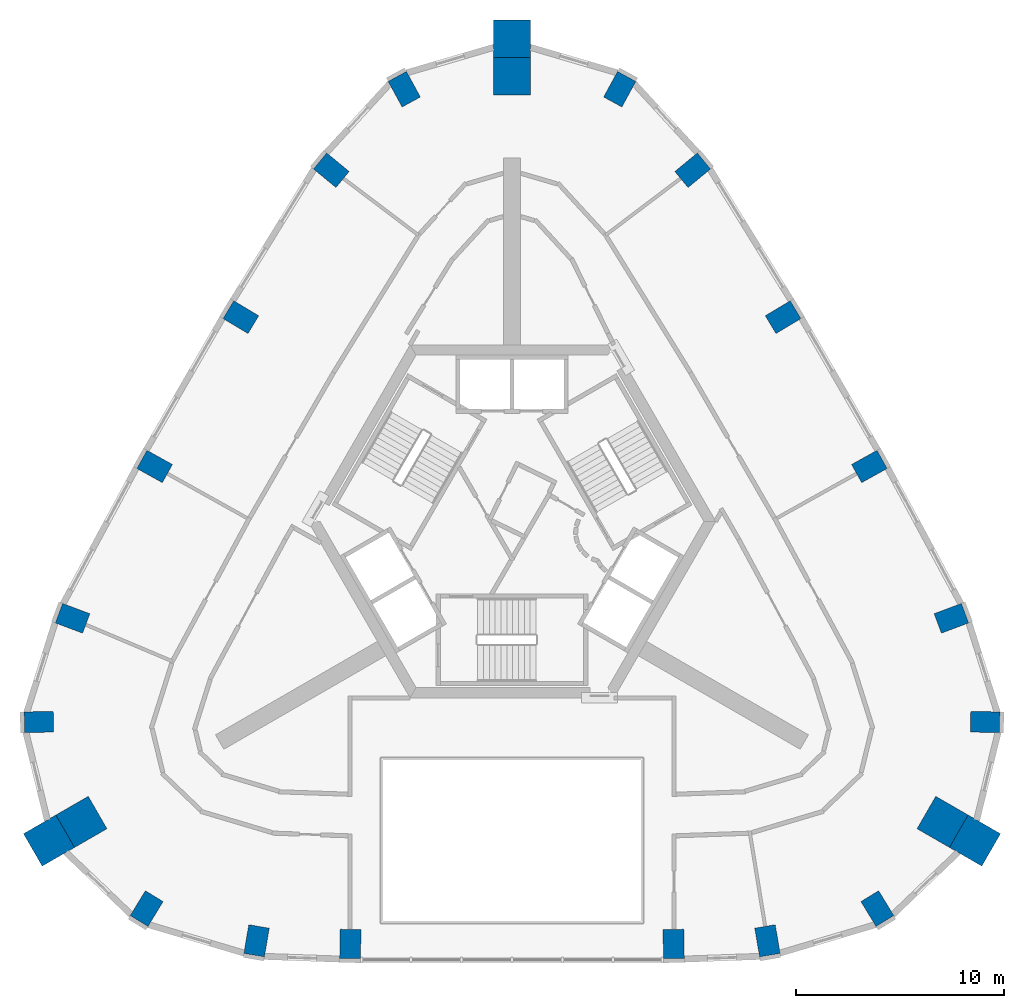
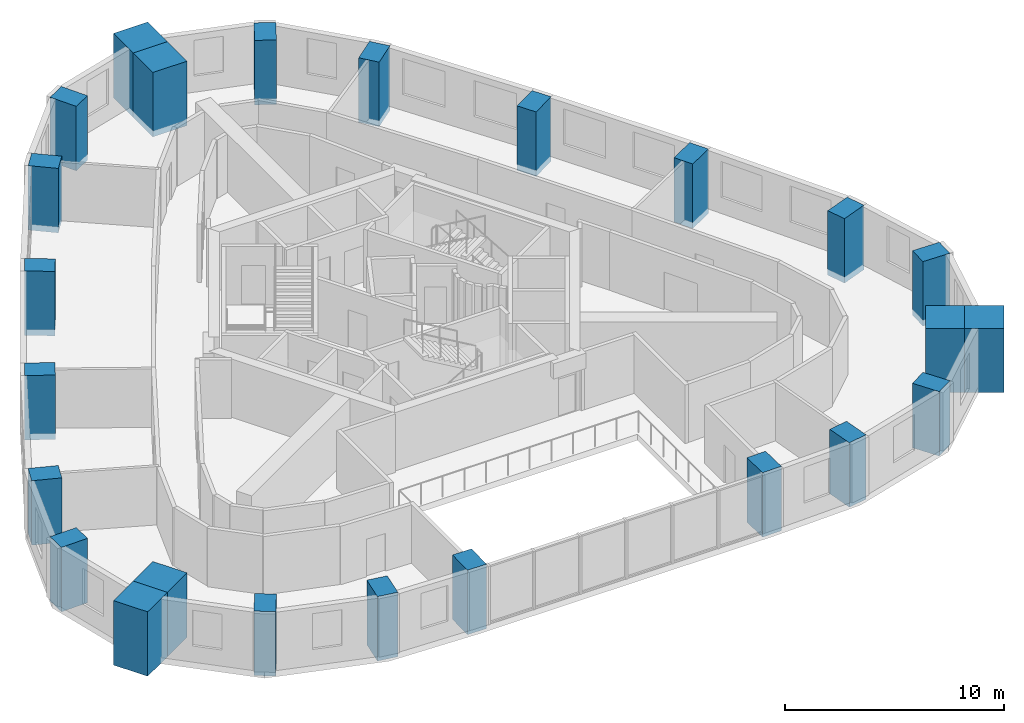
# One storey, part 1 of 8: 24 columns.
"""IFC4 building model written with IfcOpenShell, lengths in metres."""

import ifcopenshell
import ifcopenshell.guid

model = None  # the IFC model being written
_history = None  # IfcOwnerHistory: only IFC2X3 demands one
_inside = {}  # id of a spatial element -> (the spatial element, [elements in it])
_under = {}  # id of a project, library or spatial element -> (it, [spatial elements below it])
_declared = {}  # id of a project -> (the project, [libraries it declares])
_typed = {}  # id of a type object -> (the type object, [elements of that type])
_made_of = {}  # id of a material, layer set ... -> (it, [elements and type objects made of it])


def new_model(schema):
    """Start an empty IFC model of exactly this schema.

    Asked for "IFC4X3", IfcOpenShell would pick the latest addendum, in which some entities
    have other attributes; the version numbers below select the first issue.
    IFC2X3 requires an IfcOwnerHistory on every rooted entity: one is made here for all.
    """
    global model, _history
    if schema == "IFC4X3":
        model = ifcopenshell.file(schema_version=(4, 3, 0, 0))
    else:
        model = ifcopenshell.file(schema=schema)
    _inside.clear()
    _under.clear()
    _declared.clear()
    _typed.clear()
    _made_of.clear()
    _history = None
    if model.schema == "IFC2X3":
        org = make("IfcOrganization", Name="unknown")
        user = make(
            "IfcPersonAndOrganization",
            ThePerson=make("IfcPerson", FamilyName="unknown"),
            TheOrganization=org,
        )
        app = make(
            "IfcApplication",
            ApplicationDeveloper=org,
            Version="unknown",
            ApplicationFullName="unknown",
            ApplicationIdentifier="unknown",
        )
        _history = make(
            "IfcOwnerHistory",
            OwningUser=user,
            OwningApplication=app,
            ChangeAction="ADDED",
            CreationDate=0,
        )
    return model


def make(cls, **values):
    """One entity of the class cls with the attributes given. An attribute that is None is left unset."""
    return model.create_entity(
        cls, **{name: value for name, value in values.items() if value is not None}
    )


def rooted(cls, **values):
    """An entity with a GlobalId (a new one), such as an element, a storey or a relation."""
    return make(cls, GlobalId=ifcopenshell.guid.new(), OwnerHistory=_history, **values)


def si_unit(unit_type, name, prefix=None):
    """IfcSIUnit, for example si_unit("LENGTHUNIT", "METRE", prefix="MILLI")."""
    return make("IfcSIUnit", UnitType=unit_type, Prefix=prefix, Name=name)


def assignment(units):
    """IfcUnitAssignment: the units of a project."""
    return None if units is None else make("IfcUnitAssignment", Units=units)


def point(xyz):
    """IfcCartesianPoint."""
    return None if xyz is None else make("IfcCartesianPoint", Coordinates=xyz)


def direction(xyz):
    """IfcDirection."""
    return None if xyz is None else make("IfcDirection", DirectionRatios=xyz)


def frame(location, z_axis=None, x_axis=None):
    """IfcAxis2Placement3D, a coordinate frame: its origin and axes. An axis left out is left unset."""
    return make(
        "IfcAxis2Placement3D",
        Location=point(location),
        Axis=direction(z_axis),
        RefDirection=direction(x_axis),
    )


def frame_2d(location, x_axis=None):
    """IfcAxis2Placement2D, a coordinate frame in the plane: its origin and x axis."""
    return make(
        "IfcAxis2Placement2D", Location=point(location), RefDirection=direction(x_axis)
    )


def origin():
    """The frame at (0, 0, 0) with its axes left unset."""
    return frame((0.0, 0.0, 0.0))


def origin_2d():
    """The frame at (0, 0) in the plane with its x axis left unset."""
    return frame_2d((0.0, 0.0))


def place(relative_to, where):
    """IfcLocalPlacement: puts the frame where relative to a parent placement (None: the world)."""
    return make(
        "IfcLocalPlacement", PlacementRelTo=relative_to, RelativePlacement=where
    )


def context(
    kind, dimensions, precision=None, world=None, true_north=None, identifier=None
):
    """IfcGeometricRepresentationContext, for example the 3D "Model" context."""
    return make(
        "IfcGeometricRepresentationContext",
        ContextIdentifier=identifier,
        ContextType=kind,
        CoordinateSpaceDimension=dimensions,
        Precision=precision,
        WorldCoordinateSystem=world,
        TrueNorth=true_north,
    )


def subcontext(parent, identifier, kind, view, scale=None):
    """IfcGeometricRepresentationSubContext, for example "Body" below "Model"."""
    return make(
        "IfcGeometricRepresentationSubContext",
        ContextIdentifier=identifier,
        ContextType=kind,
        ParentContext=parent,
        TargetScale=scale,
        TargetView=view,
    )


def project(units=None, contexts=None):
    """IfcProject with its units and contexts."""
    return rooted(
        "IfcProject",
        Name="project",
        RepresentationContexts=contexts,
        UnitsInContext=assignment(units),
    )


def spatial(cls, under=None, at=None, **own):
    """A site, building, storey or space (cls), placed at a placement, below another one or the project."""
    s = rooted(cls, ObjectPlacement=at, **own)
    if under is not None:
        _under.setdefault(under.id(), (under, []))[1].append(s)
    return s


def profile(cls, at=None, kind="AREA", **sizes):
    """A parametric profile (cls). Its sizes go by their IFC names, for example OverallWidth=200.0."""
    return make(cls, ProfileType=kind, Position=at, **sizes)


def rectangle(**sizes):
    """IfcRectangleProfileDef."""
    return profile("IfcRectangleProfileDef", **sizes)


def extrude(swept, where, along, depth):
    """IfcExtrudedAreaSolid: the profile swept, set in the frame where, extruded along a direction by depth."""
    return make(
        "IfcExtrudedAreaSolid",
        SweptArea=swept,
        Position=where,
        ExtrudedDirection=direction(along),
        Depth=depth,
    )


def shape(context_of_items, identifier, shape_type, items):
    """IfcShapeRepresentation: the items that make up one representation, for example the "Body"."""
    return make(
        "IfcShapeRepresentation",
        ContextOfItems=context_of_items,
        RepresentationIdentifier=identifier,
        RepresentationType=shape_type,
        Items=items,
    )


def material(Name=None, Category=None):
    """IfcMaterial."""
    return make("IfcMaterial", Name=Name, Category=Category)


def material_profile(
    of_material, cross_section, Name=None, Category=None, Priority=None
):
    """IfcMaterialProfile: a cross section and its material."""
    return make(
        "IfcMaterialProfile",
        Name=Name,
        Material=of_material,
        Profile=cross_section,
        Priority=Priority,
        Category=Category,
    )


def profile_set(profiles, Name=None, composite=None):
    """IfcMaterialProfileSet."""
    return make(
        "IfcMaterialProfileSet",
        Name=Name,
        MaterialProfiles=profiles,
        CompositeProfile=composite,
    )


def made_of(thing, what):
    """Note that an element or type object is made of a material, layer set ...; save() writes the relation."""
    if what is not None:
        _made_of.setdefault(what.id(), (what, []))[1].append(thing)
    return thing


def type_object(cls, material=None, **own):
    """A type object (cls), such as IfcWallType, which elements share."""
    return made_of(rooted(cls, **own), material)


def element(
    cls,
    number,
    at=None,
    inside=None,
    cuts=None,
    type_object=None,
    material=None,
    context=None,
    identifier="Body",
    shape_type=None,
    held_by="IfcProductDefinitionShape",
    body=None,
    shapes=None,
    **own,
):
    """One element of the class cls, such as IfcWall. Its Tag is "e" and its number.

    at: its placement. inside: the storey or other place that contains it. cuts: it is an
    opening in that element (IfcRelVoidsElement). A single representation is given by context,
    identifier, shape_type and body (its items); several are given by shapes. held_by: the class
    of the entity that holds the representations. save() writes the other relations.
    """
    e = rooted(cls, Tag="e%d" % number, ObjectPlacement=at, **own)
    if body is not None:
        shapes = [shape(context, identifier, shape_type, body)]
    if shapes is not None:
        e.Representation = make(held_by, Representations=shapes)
    if inside is not None:
        _inside.setdefault(inside.id(), (inside, []))[1].append(e)
    if cuts is not None:
        rooted(
            "IfcRelVoidsElement", RelatingBuildingElement=cuts, RelatedOpeningElement=e
        )
    if type_object is not None:
        _typed.setdefault(type_object.id(), (type_object, []))[1].append(e)
    return made_of(e, material)


def aggregate(whole, parts):
    """IfcRelAggregates: a whole, such as a stair, and the parts it consists of."""
    return rooted("IfcRelAggregates", RelatingObject=whole, RelatedObjects=parts)


def save(model, path):
    """Write the relations noted so far, then the file.

    IfcRelAggregates (storeys below a building ...), IfcRelContainedInSpatialStructure (elements
    in a storey), IfcRelDefinesByType, IfcRelAssociatesMaterial and IfcRelDeclares: one each for
    every whole, place, type object, material and project.
    """
    for whole, parts in _under.values():
        aggregate(whole, parts)
    for where, things in _inside.values():
        rooted(
            "IfcRelContainedInSpatialStructure",
            RelatedElements=things,
            RelatingStructure=where,
        )
    for kind, things in _typed.values():
        rooted("IfcRelDefinesByType", RelatedObjects=things, RelatingType=kind)
    for what, things in _made_of.values():
        rooted("IfcRelAssociatesMaterial", RelatedObjects=things, RelatingMaterial=what)
    for by, libraries in _declared.values():
        rooted("IfcRelDeclares", RelatingContext=by, RelatedDefinitions=libraries)
    model.write(path)


model = new_model("IFC4")

# Units and contexts
model_context = context("Model", 3, precision=1e-05, world=origin(), true_north=direction((0.0, 1.0)))
body_context = subcontext(model_context, "Body", "Model", "MODEL_VIEW")
ifc_project = project(units=[si_unit("LENGTHUNIT", "METRE"), si_unit("AREAUNIT", "SQUARE_METRE"), si_unit("VOLUMEUNIT", "CUBIC_METRE"), si_unit("PLANEANGLEUNIT", "RADIAN"), si_unit("MASSUNIT", "GRAM", prefix="KILO")], contexts=[model_context])

# Site, building, storey
site_placement = place(None, origin())
site = spatial("IfcSite", under=ifc_project, at=site_placement, CompositionType="ELEMENT")
building_placement = place(site_placement, origin())
building = spatial("IfcBuilding", under=site, at=building_placement, Name="Entoto Arch Interchange Tower", CompositionType="ELEMENT")
storey_placement = place(building_placement, frame((0.0, 0.0, 311.60009765625)))
storey = spatial("IfcBuildingStorey", under=building, at=storey_placement, Name="L73", CompositionType="ELEMENT", Elevation=311.60009765625)

# Columns
ifc_material_1 = material(Name="Concrete C40/50", Category="concrete")
ifc_material_profile_1 = material_profile(ifc_material_1, rectangle(XDim=1.0, YDim=1.39990234375, at=origin_2d()))
ifc_profile_set_1 = profile_set([ifc_material_profile_1], Name="Concrete C40/50")
column_type_1 = type_object("IfcColumnType", Name="Column RC 1000x1400 C40/50", PredefinedType="COLUMN", material=ifc_profile_set_1)
for number, where, z_axis, x_axis, name in (
    (1, (-12.297119140625, -17.694091796875, -0.340087890625), (0.0, 0.0, 1.0), (-0.985785690827, 0.168007653877, 0.0), "Column S01 L73"),
    (2, (-7.781982421875, -17.845947265625, -0.340087890625), (0.0, 0.0, 1.0), (-0.999805523312, 0.019720942027, 0.0), "Column S02 L73"),
    (3, (7.781982421875, -17.845947265625, -0.340087890625), (0.0, 0.0, 1.0), (0.999805523312, 0.019720942027, 0.0), "Column S03 L73"),
    (4, (12.297119140625, -17.694091796875, -0.340087890625), (0.0, 0.0, 1.0), (0.985785690827, 0.168007653877, 0.0), "Column S04 L73"),
    (5, (17.589111328125, -16.14306640625, -0.340087890625), (0.0, 0.0, 1.0), (0.853650808213, 0.520845752251, 0.0), "Column SE1 L73"),
    (6, (22.77490234375, -7.159912109375, -0.340087890625), (0.0, 0.0, 1.0), (0.024257696956, 0.999705738774, 0.0), "Column SE3 L73"),
    (7, (21.153076171875, -2.16796875, -0.340087890625), (0.0, 0.0, 1.0), (-0.3507141184, 0.93648257173, 0.0), "Column NE01 L73"),
    (8, (17.2041015625, 5.14111328125, -0.340087890625), (0.0, 0.0, 1.0), (-0.48592357098, 0.874001306158, 0.0), "Column NE02 L73"),
    (9, (13.053955078125, 12.3291015625, -0.340087890625), (0.0, 0.0, 1.0), (-0.513945548584, 0.857822809845, 0.0), "Column NE03 L73"),
    (10, (8.698974609375, 19.403076171875, -0.340087890625), (0.0, 0.0, 1.0), (-0.635647164629, 0.771979716119, 0.0), "Column NE04 L73"),
    (11, (5.18603515625, 23.303955078125, -0.340087890625), (0.0, 0.0, 1.0), (-0.877899414566, 0.478845087586, 0.0), "Column N1 L73"),
    (12, (-5.18603515625, 23.303955078125, -0.340087890625), (0.0, 0.0, 1.0), (0.877899414566, 0.478845087586, 0.0), "Column N3 L73"),
    (13, (-8.698974609375, 19.403076171875, -0.340087890625), (0.0, 0.0, 1.0), (0.635647164629, 0.771979716119, 0.0), "Column NW01 L73"),
    (14, (-13.053955078125, 12.3291015625, -0.340087890625), (0.0, 0.0, 1.0), (0.513945548584, 0.857822809845, 0.0), "Column NW02 L73"),
    (15, (-17.2041015625, 5.14111328125, -0.340087890625), (0.0, 0.0, 1.0), (0.48592357098, 0.874001306158, 0.0), "Column NW03 L73"),
    (16, (-21.153076171875, -2.16796875, -0.340087890625), (0.0, 0.0, 1.0), (0.3507141184, 0.93648257173, 0.0), "Column NW04 L73"),
    (17, (-22.77490234375, -7.159912109375, -0.340087890625), (0.0, 0.0, 1.0), (-0.024257696956, 0.999705738774, 0.0), "Column SW1 L73"),
    (18, (-17.589111328125, -16.14306640625, -0.340087890625), (0.0, 0.0, 1.0), (-0.853650808213, 0.520845752251, 0.0), "Column SW3 L73"),
):
    element("IfcColumn", number, at=place(storey_placement, frame(where, z_axis=z_axis, x_axis=x_axis)), inside=storey, type_object=column_type_1, Name=name, PredefinedType="COLUMN", context=body_context, shape_type="SweptSolid", body=[
        extrude(rectangle(XDim=1.0, YDim=1.39990234375, at=origin_2d()), origin(), (0.0, 0.0, 1.0), 3.60009765625),
    ])
ifc_material_2 = material(Name="Precast concrete C40/50", Category="concrete")
ifc_material_profile_2 = material_profile(ifc_material_2, rectangle(XDim=1.800048828125, YDim=1.800048828125, at=origin_2d()))
ifc_profile_set_2 = profile_set([ifc_material_profile_2], Name="Precast concrete C40/50")
column_type_2 = type_object("IfcColumnType", Name="Frame post RC 1800x1800 precast C40/50", PredefinedType="COLUMN", material=ifc_profile_set_2)
for number, where, z_axis, x_axis, name in (
    (19, (22.2890625, -12.868896484375, -0.340087890625), (0.0, 0.0, 1.0), (-0.866025403784, 0.5, 0.0), "Frame post SE L73"),
    (20, (0.0, 25.737060546875, -0.340087890625), (0.0, 0.0, 1.0), (0.0, 1.0, 0.0), "Frame post N L73"),
    (21, (-22.2890625, -12.868896484375, -0.340087890625), (0.0, 0.0, 1.0), (0.866025403784, 0.5, 0.0), "Frame post SW L73"),
):
    element("IfcColumn", number, at=place(storey_placement, frame(where, z_axis=z_axis, x_axis=x_axis)), inside=storey, type_object=column_type_2, Name=name, PredefinedType="COLUMN", context=body_context, shape_type="SweptSolid", body=[
        extrude(rectangle(XDim=1.800048828125, YDim=1.800048828125, at=origin_2d()), origin(), (0.0, 0.0, 1.0), 3.60009765625),
    ])
ifc_material_profile_3 = material_profile(ifc_material_1, rectangle(XDim=1.800048828125, YDim=1.800048828125, at=origin_2d()))
ifc_profile_set_3 = profile_set([ifc_material_profile_3], Name="Concrete C40/50")
column_type_3 = type_object("IfcColumnType", Name="Mega column RC 1800x1800 C40/50", PredefinedType="COLUMN", material=ifc_profile_set_3)
for number, where, z_axis, x_axis, name in (
    (22, (20.72998046875, -11.968994140625, -0.340087890625), (0.0, 0.0, 1.0), (-0.866025403784, 0.5, 0.0), "Corner mega column SE2 L73"),
    (23, (0.0, 23.93701171875, -0.340087890625), (0.0, 0.0, 1.0), (0.0, 1.0, 0.0), "Corner mega column N2 L73"),
    (24, (-20.72998046875, -11.968994140625, -0.340087890625), (0.0, 0.0, 1.0), (0.866025403784, 0.5, 0.0), "Corner mega column SW2 L73"),
):
    element("IfcColumn", number, at=place(storey_placement, frame(where, z_axis=z_axis, x_axis=x_axis)), inside=storey, type_object=column_type_3, Name=name, PredefinedType="COLUMN", context=body_context, shape_type="SweptSolid", body=[
        extrude(rectangle(XDim=1.800048828125, YDim=1.800048828125, at=origin_2d()), origin(), (0.0, 0.0, 1.0), 3.60009765625),
    ])

save(model, "model.ifc")
